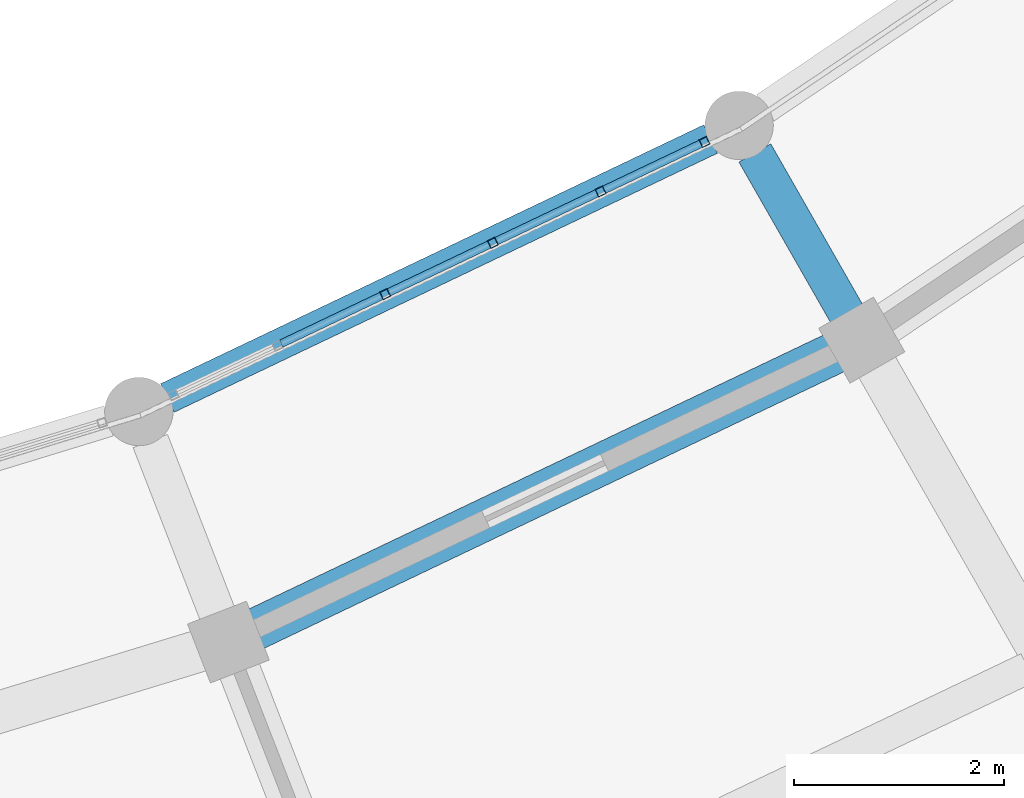
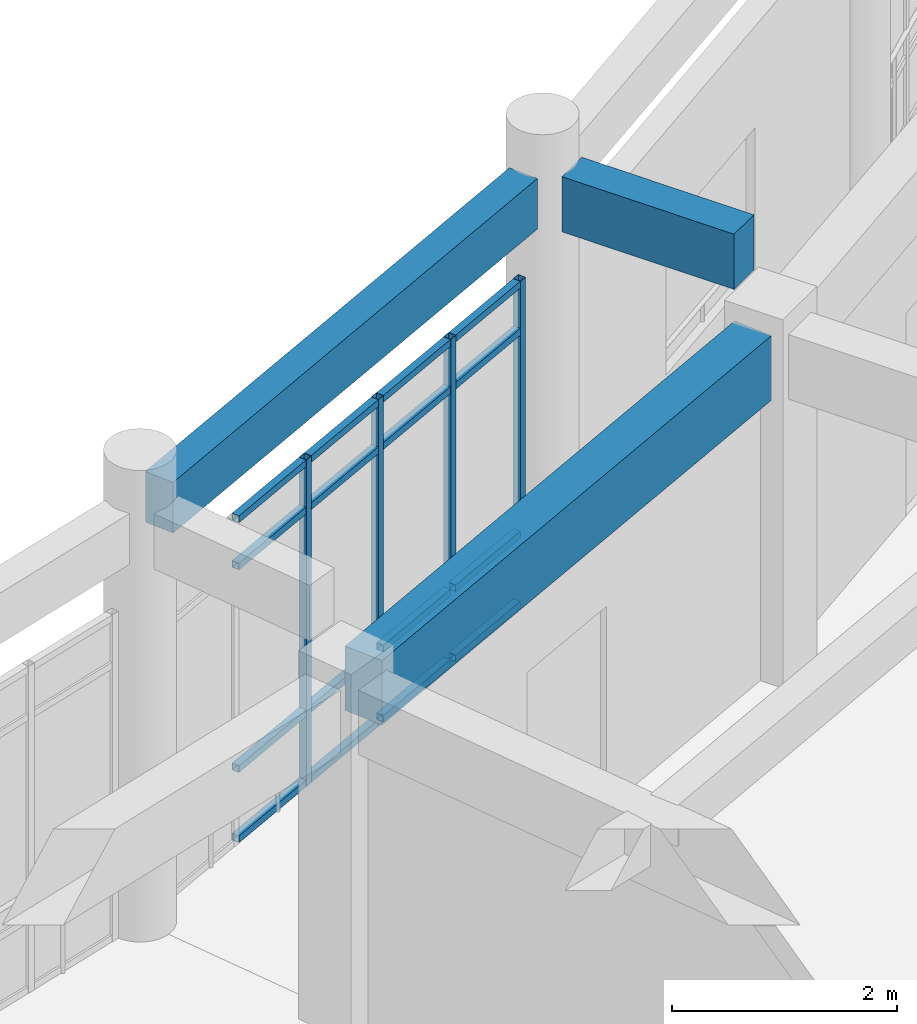
# One storey, part 39 of 159: 20 members, 3 beams, 1 element without a shape of its own.
"""IFC4 building model written with IfcOpenShell, lengths in metres."""

from ifc_helpers import new_model, si_unit, direction, frame, origin, origin_2d, place, context, subcontext, project, spatial, rectangle, hollow_rectangle, extrude, material, material_profile, profile_set, type_object, element, aggregate, save


model = new_model("IFC4")

# Units and contexts
model_context = context("Model", 3, precision=1e-05, world=origin(), true_north=direction((0.0, 1.0)))
body_context = subcontext(model_context, "Body", "Model", "MODEL_VIEW")
ifc_project = project(units=[si_unit("LENGTHUNIT", "METRE"), si_unit("AREAUNIT", "SQUARE_METRE"), si_unit("VOLUMEUNIT", "CUBIC_METRE"), si_unit("PLANEANGLEUNIT", "RADIAN"), si_unit("MASSUNIT", "GRAM", prefix="KILO")], contexts=[model_context])

# Site, building, storey
site_placement = place(None, origin())
site = spatial("IfcSite", under=ifc_project, at=site_placement, CompositionType="ELEMENT")
building_placement = place(site_placement, origin())
building = spatial("IfcBuilding", under=site, at=building_placement, Name="Celadon Cloister-Ring School", CompositionType="ELEMENT")
storey_placement = place(building_placement, frame((0.0, 0.0, 4.5)))
storey = spatial("IfcBuildingStorey", under=building, at=storey_placement, Name="L01", CompositionType="ELEMENT", Elevation=4.5)

# Beam
ifc_material_1 = material(Name="Concrete C35/45", Category="concrete")
ifc_material_profile_1 = material_profile(ifc_material_1, rectangle(XDim=0.35009765625, YDim=0.60009765625, at=origin_2d()), Name="RC350X600")
ifc_profile_set_1 = profile_set([ifc_material_profile_1], Name="Concrete C35/45")
beam_type_1 = type_object("IfcBeamType", Name="BT-02", PredefinedType="BEAM", material=ifc_profile_set_1)
beam_1_placement = place(storey_placement, frame((109.18408203125, 20.1650390625, 4.35009765625), z_axis=(-0.496183405226, 0.868217730975, 0.0), x_axis=(-0.868217730975, -0.496183405226, 0.0)))
element("IfcBeam", 1, at=beam_1_placement, inside=storey, type_object=beam_type_1, Name="Beam 0239", PredefinedType="BEAM", context=body_context, shape_type="SweptSolid", body=[
    extrude(rectangle(XDim=0.35009765625, YDim=0.60009765625, at=origin_2d()), origin(), (0.0, 0.0, 1.0), 1.773681640625),
])

# Curtain wall, members
ifc_material_2 = material(Name="Aluminium EN AW-6063 T6", Category="aluminium")
curtain_wall_type = type_object("IfcCurtainWallType", Name="CW-01", PredefinedType="USERDEFINED", material=ifc_material_2)
curtain_wall_placement = place(storey_placement, origin())
curtain_wall = element("IfcCurtainWall", 2, at=curtain_wall_placement, inside=storey, type_object=curtain_wall_type, Name="Curtain Wall 0034", ObjectType="CURTAIN WALL", PredefinedType="USERDEFINED")
ifc_material_3 = material(Name="Aluminium EN AW-6063 T6", Category="aluminium")
ifc_material_profile_2 = material_profile(ifc_material_3, hollow_rectangle(XDim=0.080078125, YDim=0.080078125, WallThickness=0.00390625, at=origin_2d()), Name="RHS80X80X4")
ifc_profile_set_2 = profile_set([ifc_material_profile_2], Name="Aluminium EN AW-6063 T6")
member_type_1 = type_object("IfcMemberType", Name="CM-03", PredefinedType="MULLION", material=ifc_profile_set_2)
member_1_placement = place(storey_placement, frame((104.791259765625, 20.362548828125, 0.0), z_axis=(0.0, 0.0, 1.0), x_axis=(-0.430200582842, 0.902733326361, 0.0)))
member_1 = element("IfcMember", 3, at=member_1_placement, type_object=member_type_1, Name="CW-01 mullion 3", PredefinedType="MULLION", context=body_context, shape_type="SweptSolid", body=[
    extrude(hollow_rectangle(XDim=0.080078125, YDim=0.080078125, WallThickness=0.00390625, at=origin_2d()), origin(), (0.0, 0.0, 1.0), 3.550048828125),
])
member_2_placement = place(storey_placement, frame((105.814697265625, 20.850341796875, 0.0), z_axis=(0.0, 0.0, 1.0), x_axis=(-0.430200582842, 0.902733326361, 0.0)))
member_2 = element("IfcMember", 4, at=member_2_placement, type_object=member_type_1, Name="CW-01 mullion 4", PredefinedType="MULLION", context=body_context, shape_type="SweptSolid", body=[
    extrude(hollow_rectangle(XDim=0.080078125, YDim=0.080078125, WallThickness=0.00390625, at=origin_2d()), origin(), (0.0, 0.0, 1.0), 3.550048828125),
])
member_3_placement = place(storey_placement, frame((106.83837890625, 21.338134765625, 0.0), z_axis=(0.0, 0.0, 1.0), x_axis=(-0.430200582842, 0.902733326361, 0.0)))
member_3 = element("IfcMember", 5, at=member_3_placement, type_object=member_type_1, Name="CW-01 mullion 5", PredefinedType="MULLION", context=body_context, shape_type="SweptSolid", body=[
    extrude(hollow_rectangle(XDim=0.080078125, YDim=0.080078125, WallThickness=0.00390625, at=origin_2d()), origin(), (0.0, 0.0, 1.0), 3.550048828125),
])
member_4_placement = place(storey_placement, frame((107.825927734375, 21.808837890625, 0.0), z_axis=(0.0, 0.0, 1.0), x_axis=(-0.430200582842, 0.902733326361, 0.0)))
member_4 = element("IfcMember", 6, at=member_4_placement, type_object=member_type_1, Name="CW-01 mullion 6", PredefinedType="MULLION", context=body_context, shape_type="SweptSolid", body=[
    extrude(hollow_rectangle(XDim=0.080078125, YDim=0.080078125, WallThickness=0.00390625, at=origin_2d()), origin(), (0.0, 0.0, 1.0), 3.550048828125),
])
ifc_material_4 = material(Name="Aluminium EN AW-6063 T6", Category="aluminium")
ifc_material_profile_3 = material_profile(ifc_material_4, hollow_rectangle(XDim=0.074951171875, YDim=0.074951171875, WallThickness=0.00390625, at=origin_2d()), Name="RHS75X75X4")
ifc_profile_set_3 = profile_set([ifc_material_profile_3], Name="Aluminium EN AW-6063 T6")
member_type_2 = type_object("IfcMemberType", Name="CTM-03", PredefinedType="USERDEFINED", material=ifc_profile_set_3)
member_5_placement = place(storey_placement, frame((103.8037109375, 19.89208984375, 0.03759765625), z_axis=(0.902744874657, 0.430176349048, 0.0), x_axis=(-0.430176349048, 0.902744874657, 0.0)))
member_5 = element("IfcMember", 7, at=member_5_placement, type_object=member_type_2, Name="CW-01 transom 2.1", ObjectType="TRANSOM", PredefinedType="USERDEFINED", context=body_context, shape_type="SweptSolid", body=[
    extrude(hollow_rectangle(XDim=0.074951171875, YDim=0.074951171875, WallThickness=0.00390625, at=origin_2d()), origin(), (0.0, 0.0, 1.0), 1.053955078125),
])
member_6_placement = place(storey_placement, frame((103.8037109375, 19.89208984375, 0.800048828125), z_axis=(0.902744874657, 0.430176349048, 0.0), x_axis=(-0.430176349048, 0.902744874657, 0.0)))
member_6 = element("IfcMember", 8, at=member_6_placement, type_object=member_type_2, Name="CW-01 transom 2.2", ObjectType="TRANSOM", PredefinedType="USERDEFINED", context=body_context, shape_type="SweptSolid", body=[
    extrude(hollow_rectangle(XDim=0.074951171875, YDim=0.074951171875, WallThickness=0.00390625, at=origin_2d()), origin(), (0.0, 0.0, 1.0), 1.053955078125),
])
member_7_placement = place(storey_placement, frame((103.8037109375, 19.89208984375, 3.0), z_axis=(0.902744874657, 0.430176349048, 0.0), x_axis=(-0.430176349048, 0.902744874657, 0.0)))
member_7 = element("IfcMember", 9, at=member_7_placement, type_object=member_type_2, Name="CW-01 transom 2.3", ObjectType="TRANSOM", PredefinedType="USERDEFINED", context=body_context, shape_type="SweptSolid", body=[
    extrude(hollow_rectangle(XDim=0.074951171875, YDim=0.074951171875, WallThickness=0.00390625, at=origin_2d()), origin(), (0.0, 0.0, 1.0), 1.053955078125),
])
member_8_placement = place(storey_placement, frame((103.8037109375, 19.89208984375, 3.512451171875), z_axis=(0.902744874657, 0.430176349048, 0.0), x_axis=(-0.430176349048, 0.902744874657, 0.0)))
member_8 = element("IfcMember", 10, at=member_8_placement, type_object=member_type_2, Name="CW-01 transom 2.4", ObjectType="TRANSOM", PredefinedType="USERDEFINED", context=body_context, shape_type="SweptSolid", body=[
    extrude(hollow_rectangle(XDim=0.074951171875, YDim=0.074951171875, WallThickness=0.00390625, at=origin_2d()), origin(), (0.0, 0.0, 1.0), 1.053955078125),
])
member_9_placement = place(storey_placement, frame((104.827392578125, 20.3798828125, 0.03759765625), z_axis=(0.902744874657, 0.430176349048, 0.0), x_axis=(-0.430176349048, 0.902744874657, 0.0)))
member_9 = element("IfcMember", 11, at=member_9_placement, type_object=member_type_2, Name="CW-01 transom 3.1", ObjectType="TRANSOM", PredefinedType="USERDEFINED", context=body_context, shape_type="SweptSolid", body=[
    extrude(hollow_rectangle(XDim=0.074951171875, YDim=0.074951171875, WallThickness=0.00390625, at=origin_2d()), origin(), (0.0, 0.0, 1.0), 1.053955078125),
])
member_10_placement = place(storey_placement, frame((104.827392578125, 20.3798828125, 0.800048828125), z_axis=(0.902744874657, 0.430176349048, 0.0), x_axis=(-0.430176349048, 0.902744874657, 0.0)))
member_10 = element("IfcMember", 12, at=member_10_placement, type_object=member_type_2, Name="CW-01 transom 3.2", ObjectType="TRANSOM", PredefinedType="USERDEFINED", context=body_context, shape_type="SweptSolid", body=[
    extrude(hollow_rectangle(XDim=0.074951171875, YDim=0.074951171875, WallThickness=0.00390625, at=origin_2d()), origin(), (0.0, 0.0, 1.0), 1.053955078125),
])
member_11_placement = place(storey_placement, frame((104.827392578125, 20.3798828125, 3.0), z_axis=(0.902744874657, 0.430176349048, 0.0), x_axis=(-0.430176349048, 0.902744874657, 0.0)))
member_11 = element("IfcMember", 13, at=member_11_placement, type_object=member_type_2, Name="CW-01 transom 3.3", ObjectType="TRANSOM", PredefinedType="USERDEFINED", context=body_context, shape_type="SweptSolid", body=[
    extrude(hollow_rectangle(XDim=0.074951171875, YDim=0.074951171875, WallThickness=0.00390625, at=origin_2d()), origin(), (0.0, 0.0, 1.0), 1.053955078125),
])
member_12_placement = place(storey_placement, frame((104.827392578125, 20.3798828125, 3.512451171875), z_axis=(0.902744874657, 0.430176349048, 0.0), x_axis=(-0.430176349048, 0.902744874657, 0.0)))
member_12 = element("IfcMember", 14, at=member_12_placement, type_object=member_type_2, Name="CW-01 transom 3.4", ObjectType="TRANSOM", PredefinedType="USERDEFINED", context=body_context, shape_type="SweptSolid", body=[
    extrude(hollow_rectangle(XDim=0.074951171875, YDim=0.074951171875, WallThickness=0.00390625, at=origin_2d()), origin(), (0.0, 0.0, 1.0), 1.053955078125),
])
member_13_placement = place(storey_placement, frame((105.850830078125, 20.86767578125, 0.03759765625), z_axis=(0.902744874657, 0.430176349048, 0.0), x_axis=(-0.430176349048, 0.902744874657, 0.0)))
member_13 = element("IfcMember", 15, at=member_13_placement, type_object=member_type_2, Name="CW-01 transom 4.1", ObjectType="TRANSOM", PredefinedType="USERDEFINED", context=body_context, shape_type="SweptSolid", body=[
    extrude(hollow_rectangle(XDim=0.074951171875, YDim=0.074951171875, WallThickness=0.00390625, at=origin_2d()), origin(), (0.0, 0.0, 1.0), 1.053955078125),
])
member_14_placement = place(storey_placement, frame((105.850830078125, 20.86767578125, 0.800048828125), z_axis=(0.902744874657, 0.430176349048, 0.0), x_axis=(-0.430176349048, 0.902744874657, 0.0)))
member_14 = element("IfcMember", 16, at=member_14_placement, type_object=member_type_2, Name="CW-01 transom 4.2", ObjectType="TRANSOM", PredefinedType="USERDEFINED", context=body_context, shape_type="SweptSolid", body=[
    extrude(hollow_rectangle(XDim=0.074951171875, YDim=0.074951171875, WallThickness=0.00390625, at=origin_2d()), origin(), (0.0, 0.0, 1.0), 1.053955078125),
])
member_15_placement = place(storey_placement, frame((105.850830078125, 20.86767578125, 3.0), z_axis=(0.902744874657, 0.430176349048, 0.0), x_axis=(-0.430176349048, 0.902744874657, 0.0)))
member_15 = element("IfcMember", 17, at=member_15_placement, type_object=member_type_2, Name="CW-01 transom 4.3", ObjectType="TRANSOM", PredefinedType="USERDEFINED", context=body_context, shape_type="SweptSolid", body=[
    extrude(hollow_rectangle(XDim=0.074951171875, YDim=0.074951171875, WallThickness=0.00390625, at=origin_2d()), origin(), (0.0, 0.0, 1.0), 1.053955078125),
])
member_16_placement = place(storey_placement, frame((105.850830078125, 20.86767578125, 3.512451171875), z_axis=(0.902744874657, 0.430176349048, 0.0), x_axis=(-0.430176349048, 0.902744874657, 0.0)))
member_16 = element("IfcMember", 18, at=member_16_placement, type_object=member_type_2, Name="CW-01 transom 4.4", ObjectType="TRANSOM", PredefinedType="USERDEFINED", context=body_context, shape_type="SweptSolid", body=[
    extrude(hollow_rectangle(XDim=0.074951171875, YDim=0.074951171875, WallThickness=0.00390625, at=origin_2d()), origin(), (0.0, 0.0, 1.0), 1.053955078125),
])
member_17_placement = place(storey_placement, frame((106.87451171875, 21.35546875, 0.03759765625), z_axis=(0.902789287797, 0.430083133637, 0.0), x_axis=(-0.430083133637, 0.902789287797, 0.0)))
member_17 = element("IfcMember", 19, at=member_17_placement, type_object=member_type_2, Name="CW-01 transom 5.1", ObjectType="TRANSOM", PredefinedType="USERDEFINED", context=body_context, shape_type="SweptSolid", body=[
    extrude(hollow_rectangle(XDim=0.074951171875, YDim=0.074951171875, WallThickness=0.00390625, at=origin_2d()), origin(), (0.0, 0.0, 1.0), 1.013916015625),
])
member_18_placement = place(storey_placement, frame((106.87451171875, 21.35546875, 0.800048828125), z_axis=(0.902789287797, 0.430083133637, 0.0), x_axis=(-0.430083133637, 0.902789287797, 0.0)))
member_18 = element("IfcMember", 20, at=member_18_placement, type_object=member_type_2, Name="CW-01 transom 5.2", ObjectType="TRANSOM", PredefinedType="USERDEFINED", context=body_context, shape_type="SweptSolid", body=[
    extrude(hollow_rectangle(XDim=0.074951171875, YDim=0.074951171875, WallThickness=0.00390625, at=origin_2d()), origin(), (0.0, 0.0, 1.0), 1.013916015625),
])
member_19_placement = place(storey_placement, frame((106.87451171875, 21.35546875, 3.0), z_axis=(0.902789287797, 0.430083133637, 0.0), x_axis=(-0.430083133637, 0.902789287797, 0.0)))
member_19 = element("IfcMember", 21, at=member_19_placement, type_object=member_type_2, Name="CW-01 transom 5.3", ObjectType="TRANSOM", PredefinedType="USERDEFINED", context=body_context, shape_type="SweptSolid", body=[
    extrude(hollow_rectangle(XDim=0.074951171875, YDim=0.074951171875, WallThickness=0.00390625, at=origin_2d()), origin(), (0.0, 0.0, 1.0), 1.013916015625),
])
member_20_placement = place(storey_placement, frame((106.87451171875, 21.35546875, 3.512451171875), z_axis=(0.902789287797, 0.430083133637, 0.0), x_axis=(-0.430083133637, 0.902789287797, 0.0)))
member_20 = element("IfcMember", 22, at=member_20_placement, type_object=member_type_2, Name="CW-01 transom 5.4", ObjectType="TRANSOM", PredefinedType="USERDEFINED", context=body_context, shape_type="SweptSolid", body=[
    extrude(hollow_rectangle(XDim=0.074951171875, YDim=0.074951171875, WallThickness=0.00390625, at=origin_2d()), origin(), (0.0, 0.0, 1.0), 1.013916015625),
])
aggregate(curtain_wall, [member_1, member_2, member_3, member_4, member_5, member_6, member_7, member_8, member_9, member_10, member_11, member_12, member_13, member_14, member_15, member_16, member_17, member_18, member_19, member_20])

# Beams
ifc_material_5 = material(Name="Concrete C35/45", Category="concrete")
ifc_material_profile_4 = material_profile(ifc_material_5, rectangle(XDim=0.39990234375, YDim=0.699951171875, at=origin_2d()), Name="RC400X700")
ifc_profile_set_4 = profile_set([ifc_material_profile_4], Name="Concrete C35/45")
beam_type_2 = type_object("IfcBeamType", Name="GT-03", PredefinedType="USERDEFINED", material=ifc_profile_set_4)
beam_2_placement = place(storey_placement, frame((103.550048828125, 17.175048828125, 3.429931640625), z_axis=(0.902635406481, 0.430405997829, 0.0), x_axis=(-0.430405997829, 0.902635406481, 0.0)))
element("IfcBeam", 23, at=beam_2_placement, inside=storey, type_object=beam_type_2, Name="Beam 0340", ObjectType="GIRDER", PredefinedType="USERDEFINED", context=body_context, shape_type="SweptSolid", body=[
    extrude(rectangle(XDim=0.39990234375, YDim=0.699951171875, at=origin_2d()), origin(), (0.0, 0.0, 1.0), 6.11767578125),
])
ifc_material_6 = material(Name="Concrete C35/45", Category="concrete")
ifc_material_profile_5 = material_profile(ifc_material_6, rectangle(XDim=0.300048828125, YDim=0.550048828125, at=origin_2d()), Name="RC300X550")
ifc_profile_set_5 = profile_set([ifc_material_profile_5], Name="Concrete C35/45")
beam_type_3 = type_object("IfcBeamType", Name="SP-02", PredefinedType="SPANDREL", material=ifc_profile_set_5)
beam_3_placement = place(storey_placement, frame((102.721923828125, 19.3759765625, 4.375), z_axis=(0.902671041533, 0.430331257031, 0.0), x_axis=(-0.430331257031, 0.902671041533, 0.0)))
element("IfcBeam", 24, at=beam_3_placement, inside=storey, type_object=beam_type_3, Name="Beam 0341", PredefinedType="SPANDREL", context=body_context, shape_type="SweptSolid", body=[
    extrude(rectangle(XDim=0.300048828125, YDim=0.550048828125, at=origin_2d()), origin(), (0.0, 0.0, 1.0), 5.71875),
])

save(model, "model.ifc")
